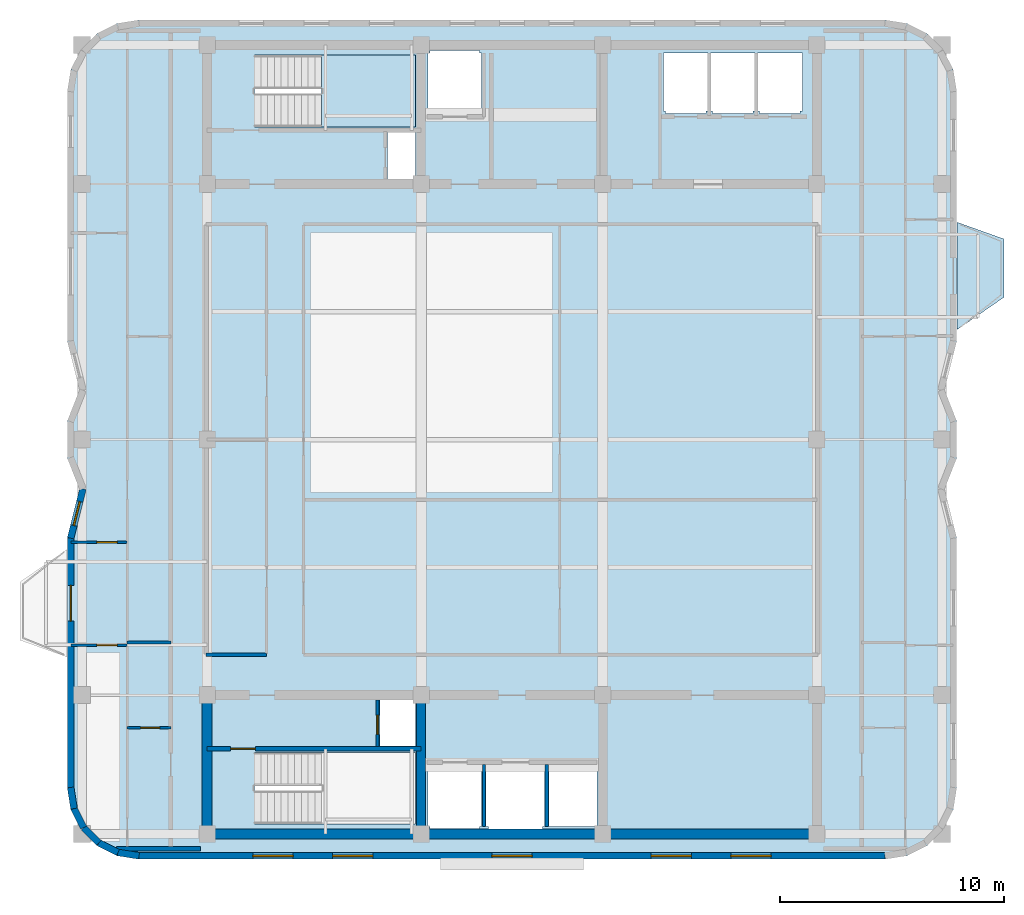
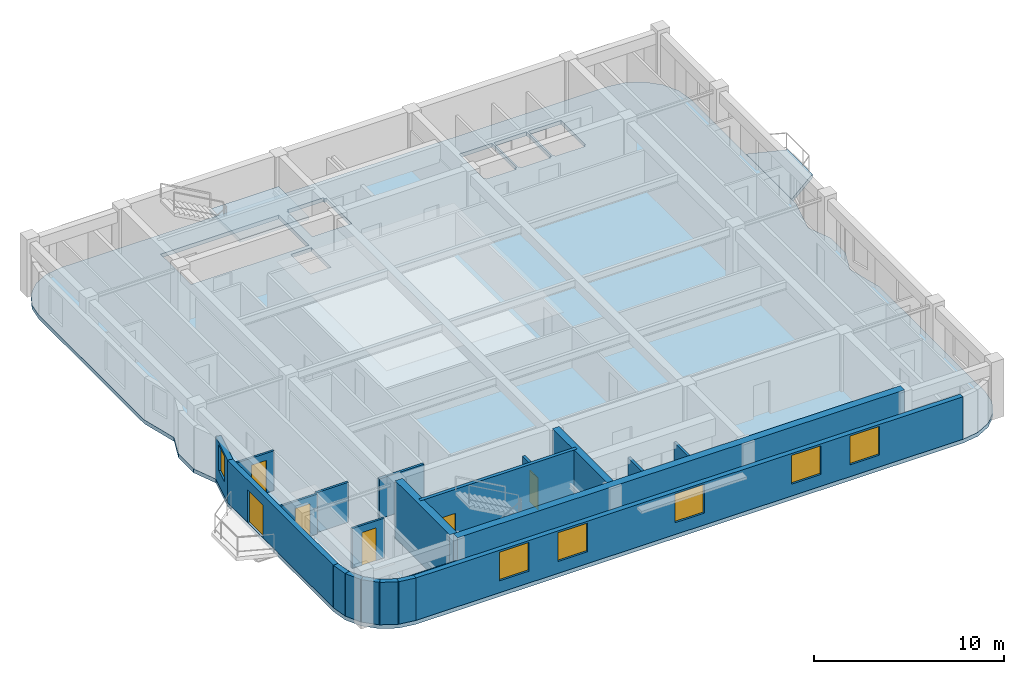
# One storey, part 2 of 8: 21 walls, 6 doors, 6 windows, 3 slabs, 12 openings, 1 element without a shape of its own.
"""IFC4 building model written with IfcOpenShell, lengths in metres."""

from ifc_helpers import new_model, si_unit, direction, frame, frame_2d, origin, place, context, subcontext, project, spatial, polyline, rectangle, outline, extrude, material, layer, layer_set, type_object, element, fill, aggregate, save


model = new_model("IFC4")

# Units and contexts
model_context = context("Model", 3, precision=1e-05, world=origin(), true_north=direction((0.0, 1.0)))
body_context = subcontext(model_context, "Body", "Model", "MODEL_VIEW")
ifc_project = project(units=[si_unit("LENGTHUNIT", "METRE"), si_unit("AREAUNIT", "SQUARE_METRE"), si_unit("VOLUMEUNIT", "CUBIC_METRE"), si_unit("PLANEANGLEUNIT", "RADIAN"), si_unit("MASSUNIT", "GRAM", prefix="KILO")], contexts=[model_context])

# Site, building, storey
site_placement = place(None, origin())
site = spatial("IfcSite", under=ifc_project, at=site_placement, CompositionType="ELEMENT")
building_placement = place(site_placement, origin())
building = spatial("IfcBuilding", under=site, at=building_placement, Name="Svetorya Sky Lyceum", CompositionType="ELEMENT")
storey_placement = place(building_placement, frame((0.0, 0.0, 260.199951171875)))
storey = spatial("IfcBuildingStorey", under=building, at=storey_placement, Name="L65", CompositionType="ELEMENT", Elevation=260.199951171875)

# Slab
ifc_material_1 = material(Name="Concrete C40/50", Category="concrete")
ifc_layer_1 = layer(ifc_material_1, 0.25)
ifc_layer_set_1 = layer_set([ifc_layer_1], Name="Concrete C40/50")
slab_type_1 = type_object("IfcSlabType", Name="SL-BAL-250", PredefinedType="FLOOR", material=ifc_layer_set_1)
slab_1_placement = place(storey_placement, frame((0.0, 0.0, -0.25)))
element("IfcSlab", 1, at=slab_1_placement, inside=storey, type_object=slab_type_1, Name="L65 Chamfered Loggia Balcony BAL-E1", PredefinedType="FLOOR", context=body_context, shape_type="SweptSolid", body=[
    extrude(outline(polyline([(59.050048828125, 33.10009765625), (61.14990234375, 34.550048828125), (61.14990234375, 37.14990234375), (59.050048828125, 37.89990234375), (59.050048828125, 33.10009765625)])), origin(), (0.0, 0.0, 1.0), 0.25),
])

# Stair, slab
stair_type = type_object("IfcStairType", Name="STR-ST-N", PredefinedType="HALF_TURN_STAIR", material=ifc_material_1)
stair_placement = place(storey_placement, origin())
stair = element("IfcStair", 2, at=stair_placement, inside=storey, type_object=stair_type, Name="L65 North Core Smoke-Free Exit Stair N3", PredefinedType="HALF_TURN_STAIR")
ifc_layer_2 = layer(ifc_material_1, 0.199951171875)
ifc_layer_set_2 = layer_set([ifc_layer_2], Name="Concrete C40/50")
slab_type_2 = type_object("IfcSlabType", Name="SL-STR-LAND-200", PredefinedType="LANDING", material=ifc_layer_set_2)
slab_2_placement = place(storey_placement, frame((0.0, 0.0, 1.650146484375)))
slab_2 = element("IfcSlab", 3, at=slab_2_placement, type_object=slab_type_2, Name="ST-N landing 1", PredefinedType="LANDING", context=body_context, shape_type="SweptSolid", body=[
    extrude(outline(polyline([(30.699951171875, 42.14990234375), (34.89990234375, 42.14990234375), (34.89990234375, 45.35009765625), (30.699951171875, 45.35009765625), (30.699951171875, 42.14990234375)])), origin(), (0.0, 0.0, 1.0), 0.199951171875),
])
aggregate(stair, [slab_2])

# Slab
ifc_layer_3 = layer(ifc_material_1, 0.25)
ifc_layer_set_3 = layer_set([ifc_layer_3], Name="Concrete C40/50")
slab_type_3 = type_object("IfcSlabType", Name="SL-TWR-250", PredefinedType="FLOOR", material=ifc_layer_set_3)
slab_3_placement = place(storey_placement, frame((0.0, 0.0, -0.25)))
element("IfcSlab", 4, at=slab_3_placement, inside=storey, type_object=slab_type_3, Name="L65 Structural Floor Slab", PredefinedType="FLOOR", context=body_context, shape_type="SweptSolid", body=[
    extrude(outline(polyline([(19.360107421875, 12.679931640625), (19.5166015625, 11.691162109375), (19.97119140625, 10.799072265625), (20.67919921875, 10.091064453125), (21.571044921875, 9.63671875), (22.56005859375, 9.47998046875), (55.840087890625, 9.47998046875), (56.828857421875, 9.63671875), (57.720947265625, 10.091064453125), (58.428955078125, 10.799072265625), (58.88330078125, 11.691162109375), (59.0400390625, 12.679931640625), (59.0400390625, 23.800048828125), (58.489990234375, 26.0), (59.0400390625, 27.39990234375), (59.0400390625, 29.0), (58.489990234375, 30.39990234375), (59.0400390625, 32.60009765625), (59.0400390625, 43.719970703125), (58.88330078125, 44.708984375), (58.428955078125, 45.600830078125), (57.720947265625, 46.308837890625), (56.828857421875, 46.763427734375), (55.840087890625, 46.919921875), (22.56005859375, 46.919921875), (21.571044921875, 46.763427734375), (20.67919921875, 46.308837890625), (19.97119140625, 45.600830078125), (19.5166015625, 44.708984375), (19.360107421875, 43.719970703125), (19.360107421875, 32.60009765625), (19.909912109375, 30.39990234375), (19.360107421875, 29.0), (19.360107421875, 27.39990234375), (19.909912109375, 26.0), (19.360107421875, 23.800048828125), (19.360107421875, 12.679931640625)]), holes=[polyline([(37.85009765625, 10.949951171875), (37.75, 10.949951171875), (37.75, 10.85009765625), (35.550048828125, 10.85009765625), (35.550048828125, 10.949951171875), (35.449951171875, 10.949951171875), (35.449951171875, 13.64990234375), (35.550048828125, 13.64990234375), (37.75, 13.64990234375), (37.85009765625, 13.64990234375), (37.85009765625, 10.949951171875)]), polyline([(38.14990234375, 10.800048828125), (38.14990234375, 10.949951171875), (38.050048828125, 10.949951171875), (38.050048828125, 13.64990234375), (38.14990234375, 13.64990234375), (38.14990234375, 13.699951171875), (40.550048828125, 13.699951171875), (40.550048828125, 13.64990234375), (40.64990234375, 13.64990234375), (40.64990234375, 10.949951171875), (40.550048828125, 10.949951171875), (40.550048828125, 10.800048828125), (38.14990234375, 10.800048828125)]), polyline([(27.719970703125, 11.050048828125), (27.719970703125, 14.25), (34.89990234375, 14.25), (34.89990234375, 11.050048828125), (27.719970703125, 11.050048828125)]), polyline([(33.300048828125, 14.52001953125), (33.300048828125, 16.580078125), (34.89990234375, 16.580078125), (34.89990234375, 14.52001953125), (33.300048828125, 14.52001953125)]), polyline([(33.64990234375, 39.820068359375), (33.64990234375, 41.89990234375), (34.89990234375, 41.89990234375), (34.89990234375, 39.820068359375), (33.64990234375, 39.820068359375)]), polyline([(27.719970703125, 42.14990234375), (27.719970703125, 45.35009765625), (34.89990234375, 45.35009765625), (34.89990234375, 42.14990234375), (27.719970703125, 42.14990234375)]), polyline([(37.75, 42.75), (35.550048828125, 42.75), (35.449951171875, 42.75), (35.449951171875, 45.449951171875), (35.550048828125, 45.449951171875), (35.550048828125, 45.550048828125), (37.75, 45.550048828125), (37.75, 45.449951171875), (37.85009765625, 45.449951171875), (37.85009765625, 42.75), (37.75, 42.75)]), polyline([(40.85009765625, 10.949951171875), (40.85009765625, 13.64990234375), (43.0, 13.64990234375), (43.0, 10.949951171875), (40.85009765625, 10.949951171875)]), polyline([(46.050048828125, 42.75), (46.050048828125, 42.85009765625), (45.949951171875, 42.85009765625), (45.949951171875, 45.449951171875), (46.050048828125, 45.449951171875), (47.85009765625, 45.449951171875), (47.949951171875, 45.449951171875), (47.949951171875, 42.85009765625), (47.85009765625, 42.85009765625), (47.85009765625, 42.75), (46.050048828125, 42.75)]), polyline([(50.050048828125, 42.85009765625), (49.949951171875, 42.85009765625), (49.949951171875, 42.75), (48.14990234375, 42.75), (48.14990234375, 42.85009765625), (48.050048828125, 42.85009765625), (48.050048828125, 45.449951171875), (48.14990234375, 45.449951171875), (49.949951171875, 45.449951171875), (50.050048828125, 45.449951171875), (50.050048828125, 42.85009765625)]), polyline([(52.14990234375, 42.85009765625), (52.050048828125, 42.85009765625), (52.050048828125, 42.75), (50.25, 42.75), (50.25, 42.85009765625), (50.14990234375, 42.85009765625), (50.14990234375, 45.449951171875), (50.25, 45.449951171875), (52.050048828125, 45.449951171875), (52.14990234375, 45.449951171875), (52.14990234375, 42.85009765625)])]), origin(), (0.0, 0.0, 1.0), 0.25),
])

# Walls
ifc_layer_4 = layer(ifc_material_1, 0.39990234375)
ifc_layer_set_4 = layer_set([ifc_layer_4], Name="Concrete C40/50")
wall_type_1 = type_object("IfcWallType", Name="WL-CORE-400", PredefinedType="SHEAR", material=ifc_layer_set_4)
wall_1_placement = place(storey_placement, frame((35.14990234375, 10.824951171875, 0.0), z_axis=(0.0, 0.0, 1.0), x_axis=(0.0, 1.0, 0.0)))
element("IfcWall", 5, at=wall_1_placement, inside=storey, type_object=wall_type_1, Name="L65 SC Internal Shear Web WEB1", PredefinedType="SHEAR", context=body_context, shape_type="SweptSolid", body=[
    extrude(rectangle(XDim=5.75, YDim=0.39990234375, at=frame_2d((2.875, 0.0))), origin(), (0.0, 0.0, 1.0), 3.699951171875),
])
ifc_material_2 = material(Name="Concrete C50/60", Category="concrete")
ifc_layer_5 = layer(ifc_material_2, 0.449951171875)
ifc_layer_set_5 = layer_set([ifc_layer_5], Name="Concrete C50/60")
wall_type_2 = type_object("IfcWallType", Name="WL-CORE-450", PredefinedType="SHEAR", material=ifc_layer_set_5)
wall_2_placement = place(storey_placement, frame((52.800048828125, 10.60009765625, 0.0), z_axis=(0.0, 0.0, 1.0), x_axis=(-1.0, 0.0, 0.0)))
element("IfcWall", 6, at=wall_2_placement, inside=storey, type_object=wall_type_2, Name="L65 SC Outer Core Shear Wall", PredefinedType="SHEAR", context=body_context, shape_type="SweptSolid", body=[
    extrude(rectangle(XDim=27.199951171875, YDim=0.449951171875, at=frame_2d((13.60009765625, 0.0))), origin(), (0.0, 0.0, 1.0), 3.699951171875),
])
wall_3_placement = place(storey_placement, frame((25.60009765625, 10.824951171875, 0.0), z_axis=(0.0, 0.0, 1.0), x_axis=(0.0, 1.0, 0.0)))
element("IfcWall", 7, at=wall_3_placement, inside=storey, type_object=wall_type_2, Name="L65 SC West Core Shear Wall", PredefinedType="SHEAR", context=body_context, shape_type="SweptSolid", body=[
    extrude(rectangle(XDim=5.75, YDim=0.449951171875, at=frame_2d((2.875, 0.0))), origin(), (0.0, 0.0, 1.0), 3.699951171875),
])
ifc_material_3 = material(Name="Putilovo limestone rainscreen on autoclaved cellular masonry", Category="masonry")
ifc_layer_6 = layer(ifc_material_3, 0.300048828125)
ifc_layer_set_6 = layer_set([ifc_layer_6], Name="Putilovo limestone rainscreen on autoclaved cellular masonry")
wall_type_3 = type_object("IfcWallType", Name="WL-EXT-300", PredefinedType="SOLIDWALL", material=ifc_layer_set_6)
wall_4_placement = place(storey_placement, frame((19.510009765625, 12.679931640625, 0.0), z_axis=(0.0, 0.0, 1.0), x_axis=(0.156343617883, -0.987702725088, 0.0)))
element("IfcWall", 8, at=wall_4_placement, inside=storey, type_object=wall_type_3, Name="L65 Limestone Exterior Wall 1M", PredefinedType="SOLIDWALL", context=body_context, shape_type="SweptSolid", body=[
    extrude(rectangle(XDim=0.9541015625, YDim=0.300048828125, at=frame_2d((0.47705078125, 0.0))), origin(), (0.0, 0.0, 1.0), 2.72998046875),
])
for number, where, z_axis, x_axis, name in (
    (9, (19.6591796875, 11.737548828125, 0.0), (0.0, 0.0, 1.0), (0.454056065666, -0.890973113642, 0.0), "L65 Limestone Exterior Wall 2M"),
    (10, (20.092529296875, 10.88720703125, 0.0), (0.0, 0.0, 1.0), (0.707106781187, -0.707106781187, 0.0), "L65 Limestone Exterior Wall 3M"),
):
    element("IfcWall", number, at=place(storey_placement, frame(where, z_axis=z_axis, x_axis=x_axis)), inside=storey, type_object=wall_type_3, Name=name, PredefinedType="SOLIDWALL", context=body_context, shape_type="SweptSolid", body=[
        extrude(rectangle(XDim=0.954345703125, YDim=0.300048828125, at=frame_2d((0.47705078125, 0.0))), origin(), (0.0, 0.0, 1.0), 2.72998046875),
    ])
wall_5_placement = place(storey_placement, frame((20.767333984375, 10.21240234375, 0.0), z_axis=(0.0, 0.0, 1.0), x_axis=(0.891023873617, -0.45395644796, 0.0)))
element("IfcWall", 11, at=wall_5_placement, inside=storey, type_object=wall_type_3, Name="L65 Limestone Exterior Wall 4M", PredefinedType="SOLIDWALL", context=body_context, shape_type="SweptSolid", body=[
    extrude(rectangle(XDim=0.9541015625, YDim=0.300048828125, at=frame_2d((0.47705078125, 0.0))), origin(), (0.0, 0.0, 1.0), 2.72998046875),
])
wall_6_placement = place(storey_placement, frame((21.617431640625, 9.779296875, 0.0), z_axis=(0.0, 0.0, 1.0), x_axis=(0.987669453596, -0.156553666304, 0.0)))
element("IfcWall", 12, at=wall_6_placement, inside=storey, type_object=wall_type_3, Name="L65 Limestone Exterior Wall 5M", PredefinedType="SOLIDWALL", context=body_context, shape_type="SweptSolid", body=[
    extrude(rectangle(XDim=0.954345703125, YDim=0.300048828125, at=frame_2d((0.47705078125, 0.0))), origin(), (0.0, 0.0, 1.0), 2.72998046875),
])

# Wall, openings, windows
wall_7_placement = place(storey_placement, frame((22.56005859375, 9.6298828125, 0.0), z_axis=(0.0, 0.0, 1.0), x_axis=(1.0, 0.0, 0.0)))
wall_7 = element("IfcWall", 13, at=wall_7_placement, inside=storey, type_object=wall_type_3, Name="L65 Limestone Exterior Wall 6M", PredefinedType="SOLIDWALL", context=body_context, shape_type="SweptSolid", body=[
    extrude(rectangle(XDim=33.280029296875, YDim=0.300048828125, at=frame_2d((16.64013671875, 0.0))), origin(), (0.0, 0.0, 1.0), 2.72998046875),
])
opening_1_placement = place(wall_7_placement, frame((5.080078125, 0.0, 0.760009765625)))
opening_1 = element("IfcOpeningElement", 14, at=opening_1_placement, cuts=wall_7, Name="Opening W-R1", PredefinedType="OPENING", context=body_context, shape_type="SweptSolid", body=[
    extrude(rectangle(XDim=1.800048828125, YDim=1.85009765625, at=frame_2d((0.89990234375, 0.925048828125))), frame((0.0, 0.159912109375, 0.0), z_axis=(0.0, -1.0, 0.0), x_axis=(1.0, 0.0, 0.0)), (0.0, 0.0, 1.0), 0.320068359375),
])
opening_2_placement = place(wall_7_placement, frame((8.63330078125, 0.0, 0.760009765625)))
opening_2 = element("IfcOpeningElement", 15, at=opening_2_placement, cuts=wall_7, Name="Opening W-R1", PredefinedType="OPENING", context=body_context, shape_type="SweptSolid", body=[
    extrude(rectangle(XDim=1.800048828125, YDim=1.85009765625, at=frame_2d((0.89990234375, 0.925048828125))), frame((0.0, 0.159912109375, 0.0), z_axis=(0.0, -1.0, 0.0), x_axis=(1.0, 0.0, 0.0)), (0.0, 0.0, 1.0), 0.320068359375),
])
opening_3_placement = place(wall_7_placement, frame((15.739990234375, 0.0, 0.760009765625)))
opening_3 = element("IfcOpeningElement", 16, at=opening_3_placement, cuts=wall_7, Name="Opening W-R1", PredefinedType="OPENING", context=body_context, shape_type="SweptSolid", body=[
    extrude(rectangle(XDim=1.800048828125, YDim=1.85009765625, at=frame_2d((0.89990234375, 0.925048828125))), frame((0.0, 0.159912109375, 0.0), z_axis=(0.0, -1.0, 0.0), x_axis=(1.0, 0.0, 0.0)), (0.0, 0.0, 1.0), 0.320068359375),
])
opening_4_placement = place(wall_7_placement, frame((22.8466796875, 0.0, 0.760009765625)))
opening_4 = element("IfcOpeningElement", 17, at=opening_4_placement, cuts=wall_7, Name="Opening W-R1", PredefinedType="OPENING", context=body_context, shape_type="SweptSolid", body=[
    extrude(rectangle(XDim=1.800048828125, YDim=1.85009765625, at=frame_2d((0.89990234375, 0.925048828125))), frame((0.0, 0.159912109375, 0.0), z_axis=(0.0, -1.0, 0.0), x_axis=(1.0, 0.0, 0.0)), (0.0, 0.0, 1.0), 0.320068359375),
])
opening_5_placement = place(wall_7_placement, frame((26.39990234375, 0.0, 0.760009765625)))
opening_5 = element("IfcOpeningElement", 18, at=opening_5_placement, cuts=wall_7, Name="Opening W-R1", PredefinedType="OPENING", context=body_context, shape_type="SweptSolid", body=[
    extrude(rectangle(XDim=1.800048828125, YDim=1.85009765625, at=frame_2d((0.89990234375, 0.925048828125))), frame((0.0, 0.159912109375, 0.0), z_axis=(0.0, -1.0, 0.0), x_axis=(1.0, 0.0, 0.0)), (0.0, 0.0, 1.0), 0.320068359375),
])
ifc_material_4 = material(Name="Thermally broken aluminium frame with triple low-E glazing", Category="aluminium")
window_type_1 = type_object("IfcWindowType", Name="WN-RES-180", PartitioningType="DOUBLE_PANEL_VERTICAL", PredefinedType="WINDOW", material=ifc_material_4)
window_1_placement = place(opening_1_placement, origin())
window_1 = element("IfcWindow", 19, at=window_1_placement, inside=storey, type_object=window_type_1, Name="L65 Facade Window W-R1.6M.1", OverallHeight=1.85009765625, OverallWidth=1.800048828125, PartitioningType="SINGLE_PANEL", PredefinedType="WINDOW", context=body_context, shape_type="SweptSolid", body=[
    extrude(rectangle(XDim=1.800048828125, YDim=1.85009765625, at=frame_2d((0.89990234375, 0.925048828125))), frame((0.0, 0.030029296875, 0.0), z_axis=(0.0, -1.0, 0.0), x_axis=(1.0, 0.0, 0.0)), (0.0, 0.0, 1.0), 0.06005859375),
])
fill(opening_1, window_1)
window_2_placement = place(opening_2_placement, origin())
window_2 = element("IfcWindow", 20, at=window_2_placement, inside=storey, type_object=window_type_1, Name="L65 Facade Window W-R1.6M.2", OverallHeight=1.85009765625, OverallWidth=1.800048828125, PartitioningType="SINGLE_PANEL", PredefinedType="WINDOW", context=body_context, shape_type="SweptSolid", body=[
    extrude(rectangle(XDim=1.800048828125, YDim=1.85009765625, at=frame_2d((0.89990234375, 0.925048828125))), frame((0.0, 0.030029296875, 0.0), z_axis=(0.0, -1.0, 0.0), x_axis=(1.0, 0.0, 0.0)), (0.0, 0.0, 1.0), 0.06005859375),
])
fill(opening_2, window_2)
window_3_placement = place(opening_3_placement, origin())
window_3 = element("IfcWindow", 21, at=window_3_placement, inside=storey, type_object=window_type_1, Name="L65 Facade Window W-R1.6M.3", OverallHeight=1.85009765625, OverallWidth=1.800048828125, PartitioningType="SINGLE_PANEL", PredefinedType="WINDOW", context=body_context, shape_type="SweptSolid", body=[
    extrude(rectangle(XDim=1.800048828125, YDim=1.85009765625, at=frame_2d((0.89990234375, 0.925048828125))), frame((0.0, 0.030029296875, 0.0), z_axis=(0.0, -1.0, 0.0), x_axis=(1.0, 0.0, 0.0)), (0.0, 0.0, 1.0), 0.06005859375),
])
fill(opening_3, window_3)
window_4_placement = place(opening_4_placement, origin())
window_4 = element("IfcWindow", 22, at=window_4_placement, inside=storey, type_object=window_type_1, Name="L65 Facade Window W-R1.6M.4", OverallHeight=1.85009765625, OverallWidth=1.800048828125, PartitioningType="SINGLE_PANEL", PredefinedType="WINDOW", context=body_context, shape_type="SweptSolid", body=[
    extrude(rectangle(XDim=1.800048828125, YDim=1.85009765625, at=frame_2d((0.89990234375, 0.925048828125))), frame((0.0, 0.030029296875, 0.0), z_axis=(0.0, -1.0, 0.0), x_axis=(1.0, 0.0, 0.0)), (0.0, 0.0, 1.0), 0.06005859375),
])
fill(opening_4, window_4)
window_5_placement = place(opening_5_placement, origin())
window_5 = element("IfcWindow", 23, at=window_5_placement, inside=storey, type_object=window_type_1, Name="L65 Facade Window W-R1.6M.5", OverallHeight=1.85009765625, OverallWidth=1.800048828125, PartitioningType="SINGLE_PANEL", PredefinedType="WINDOW", context=body_context, shape_type="SweptSolid", body=[
    extrude(rectangle(XDim=1.800048828125, YDim=1.85009765625, at=frame_2d((0.89990234375, 0.925048828125))), frame((0.0, 0.030029296875, 0.0), z_axis=(0.0, -1.0, 0.0), x_axis=(1.0, 0.0, 0.0)), (0.0, 0.0, 1.0), 0.06005859375),
])
fill(opening_5, window_5)

# Wall, opening, window
wall_8_placement = place(storey_placement, frame((20.06005859375, 26.0, 0.0), z_axis=(0.0, 0.0, 1.0), x_axis=(-0.242560957029, -0.970136166796, 0.0)))
wall_8 = element("IfcWall", 24, at=wall_8_placement, inside=storey, type_object=wall_type_3, Name="L65 Limestone Exterior Wall 35M", PredefinedType="SOLIDWALL", context=body_context, shape_type="SweptSolid", body=[
    extrude(rectangle(XDim=2.267578125, YDim=0.300048828125, at=frame_2d((1.1337890625, 0.0))), origin(), (0.0, 0.0, 1.0), 2.72998046875),
])
opening_6_placement = place(wall_8_placement, frame((0.583984375, 0.0, 0.919921875)))
opening_6 = element("IfcOpeningElement", 25, at=opening_6_placement, cuts=wall_8, Name="Opening W-R3", PredefinedType="OPENING", context=body_context, shape_type="SweptSolid", body=[
    extrude(rectangle(XDim=1.10009765625, YDim=1.64990234375, at=frame_2d((0.550048828125, 0.824951171875))), frame((0.0, 0.159912109375, 0.0), z_axis=(0.0, -1.0, 0.0), x_axis=(1.0, 0.0, 0.0)), (0.0, 0.0, 1.0), 0.320068359375),
])
window_type_2 = type_object("IfcWindowType", Name="WN-RES-110", PartitioningType="SINGLE_PANEL", PredefinedType="WINDOW", material=ifc_material_4)
window_6_placement = place(opening_6_placement, origin())
window_6 = element("IfcWindow", 26, at=window_6_placement, inside=storey, type_object=window_type_2, Name="L65 Facade Window W-R3.35M.1", OverallHeight=1.64990234375, OverallWidth=1.10009765625, PartitioningType="SINGLE_PANEL", PredefinedType="WINDOW", context=body_context, shape_type="SweptSolid", body=[
    extrude(rectangle(XDim=1.10009765625, YDim=1.64990234375, at=frame_2d((0.550048828125, 0.824951171875))), frame((0.0, 0.030029296875, 0.0), z_axis=(0.0, -1.0, 0.0), x_axis=(1.0, 0.0, 0.0)), (0.0, 0.0, 1.0), 0.06005859375),
])
fill(opening_6, window_6)

# Wall, opening, door
wall_9_placement = place(storey_placement, frame((19.510009765625, 23.800048828125, 0.0), z_axis=(0.0, 0.0, 1.0), x_axis=(0.0, -1.0, 0.0)))
wall_9 = element("IfcWall", 27, at=wall_9_placement, inside=storey, type_object=wall_type_3, Name="L65 Limestone Exterior Wall 36M", PredefinedType="SOLIDWALL", context=body_context, shape_type="SweptSolid", body=[
    extrude(rectangle(XDim=11.1201171875, YDim=0.300048828125, at=frame_2d((5.56005859375, 0.0))), origin(), (0.0, 0.0, 1.0), 2.72998046875),
])
opening_7_placement = place(wall_9_placement, frame((2.10009765625, 0.0, 0.0)))
opening_7 = element("IfcOpeningElement", 28, at=opening_7_placement, cuts=wall_9, Name="Opening D-BL1", PredefinedType="OPENING", context=body_context, shape_type="SweptSolid", body=[
    extrude(rectangle(XDim=1.60009765625, YDim=2.10009765625, at=frame_2d((0.800048828125, 1.050048828125))), frame((0.0, 0.159912109375, 0.0), z_axis=(0.0, -1.0, 0.0), x_axis=(1.0, 0.0, 0.0)), (0.0, 0.0, 1.0), 0.320068359375),
])
ifc_material_5 = material(Name="Insulated glazed aluminium balcony door", Category="aluminium")
door_type_1 = type_object("IfcDoorType", Name="DR-BAL-1600", OperationType="DOUBLE_DOOR_SINGLE_SWING", PredefinedType="DOOR", material=ifc_material_5)
door_1_placement = place(opening_7_placement, origin())
door_1 = element("IfcDoor", 29, at=door_1_placement, inside=storey, type_object=door_type_1, Name="L65 Balcony BAL-W1 Door", OperationType="DOUBLE_DOOR_SINGLE_SWING", OverallHeight=2.10009765625, OverallWidth=1.60009765625, PredefinedType="DOOR", context=body_context, shape_type="SweptSolid", body=[
    extrude(rectangle(XDim=1.60009765625, YDim=2.10009765625, at=frame_2d((0.800048828125, 1.050048828125))), frame((0.0, 0.02490234375, 0.0), z_axis=(0.0, -1.0, 0.0), x_axis=(1.0, 0.0, 0.0)), (0.0, 0.0, 1.0), 0.050048828125),
])
fill(opening_7, door_1)

ifc_material_6 = material(Name="Twin-stud galvanized framing with double fireboard", Category="gypsum")
ifc_layer_7 = layer(ifc_material_6, 0.1201171875)
ifc_layer_set_7 = layer_set([ifc_layer_7], Name="Twin-stud galvanized framing with double fireboard")
wall_type_4 = type_object("IfcWallType", Name="WL-PART-120", PredefinedType="PARTITIONING", material=ifc_layer_set_7)
wall_10_placement = place(storey_placement, frame((22.030029296875, 15.35009765625, 0.0), z_axis=(0.0, 0.0, 1.0), x_axis=(1.0, 0.0, 0.0)))
wall_10 = element("IfcWall", 30, at=wall_10_placement, inside=storey, type_object=wall_type_4, Name="L65 Interior Partition W1-WH1", PredefinedType="PARTITIONING", context=body_context, shape_type="SweptSolid", body=[
    extrude(rectangle(XDim=1.949951171875, YDim=0.1201171875, at=frame_2d((0.97509765625, 0.0))), origin(), (0.0, 0.0, 1.0), 2.56005859375),
])
opening_8_placement = place(wall_10_placement, frame((0.60009765625, 0.0, 0.0)))
opening_8 = element("IfcOpeningElement", 31, at=opening_8_placement, cuts=wall_10, Name="Opening D-BT1", PredefinedType="OPENING", context=body_context, shape_type="SweptSolid", body=[
    extrude(rectangle(XDim=0.85009765625, YDim=2.10009765625, at=frame_2d((0.425048828125, 1.050048828125))), frame((0.0, 0.070068359375, 0.0), z_axis=(0.0, -1.0, 0.0), x_axis=(1.0, 0.0, 0.0)), (0.0, 0.0, 1.0), 0.14013671875),
])
ifc_material_7 = material(Name="Moisture-resistant laminate bathroom door")
door_type_2 = type_object("IfcDoorType", Name="DR-WET-850", OperationType="SINGLE_SWING_LEFT", PredefinedType="DOOR", material=ifc_material_7)
door_2_placement = place(opening_8_placement, origin())
door_2 = element("IfcDoor", 32, at=door_2_placement, inside=storey, type_object=door_type_2, Name="Apartment W1 Bathroom Door", OperationType="SINGLE_SWING_LEFT", OverallHeight=2.10009765625, OverallWidth=0.85009765625, PredefinedType="DOOR", context=body_context, shape_type="SweptSolid", body=[
    extrude(rectangle(XDim=0.85009765625, YDim=2.10009765625, at=frame_2d((0.425048828125, 1.050048828125))), frame((0.0, 0.02490234375, 0.0), z_axis=(0.0, -1.0, 0.0), x_axis=(1.0, 0.0, 0.0)), (0.0, 0.0, 1.0), 0.050048828125),
])
fill(opening_8, door_2)

wall_11_placement = place(storey_placement, frame((19.530029296875, 19.02001953125, 0.0), z_axis=(0.0, 0.0, 1.0), x_axis=(1.0, 0.0, 0.0)))
wall_11 = element("IfcWall", 33, at=wall_11_placement, inside=storey, type_object=wall_type_4, Name="L65 Interior Partition W1-WL1", PredefinedType="PARTITIONING", context=body_context, shape_type="SweptSolid", body=[
    extrude(rectangle(XDim=2.5, YDim=0.1201171875, at=frame_2d((1.25, 0.0))), origin(), (0.0, 0.0, 1.0), 2.56005859375),
])
opening_9_placement = place(wall_11_placement, frame((1.14990234375, 0.0, 0.0)))
opening_9 = element("IfcOpeningElement", 34, at=opening_9_placement, cuts=wall_11, Name="Opening D-RM1", PredefinedType="OPENING", context=body_context, shape_type="SweptSolid", body=[
    extrude(rectangle(XDim=0.89990234375, YDim=2.10009765625, at=frame_2d((0.449951171875, 1.050048828125))), frame((0.0, 0.070068359375, 0.0), z_axis=(0.0, -1.0, 0.0), x_axis=(1.0, 0.0, 0.0)), (0.0, 0.0, 1.0), 0.14013671875),
])
ifc_material_8 = material(Name="Lacquered birch veneer internal door")
door_type_3 = type_object("IfcDoorType", Name="DR-INT-900", OperationType="SINGLE_SWING_LEFT", PredefinedType="DOOR", material=ifc_material_8)
door_3_placement = place(opening_9_placement, origin())
door_3 = element("IfcDoor", 35, at=door_3_placement, inside=storey, type_object=door_type_3, Name="Apartment W1 Master Bedroom Door", OperationType="SINGLE_SWING_LEFT", OverallHeight=2.10009765625, OverallWidth=0.89990234375, PredefinedType="DOOR", context=body_context, shape_type="SweptSolid", body=[
    extrude(rectangle(XDim=0.89990234375, YDim=2.10009765625, at=frame_2d((0.449951171875, 1.050048828125))), frame((0.0, 0.02490234375, 0.0), z_axis=(0.0, -1.0, 0.0), x_axis=(1.0, 0.0, 0.0)), (0.0, 0.0, 1.0), 0.050048828125),
])
fill(opening_9, door_3)

wall_12_placement = place(storey_placement, frame((19.530029296875, 23.6201171875, 0.0), z_axis=(0.0, 0.0, 1.0), x_axis=(1.0, 0.0, 0.0)))
wall_12 = element("IfcWall", 36, at=wall_12_placement, inside=storey, type_object=wall_type_4, Name="L65 Interior Partition W1-WL2", PredefinedType="PARTITIONING", context=body_context, shape_type="SweptSolid", body=[
    extrude(rectangle(XDim=2.5, YDim=0.1201171875, at=frame_2d((1.25, 0.0))), origin(), (0.0, 0.0, 1.0), 2.56005859375),
])
opening_10_placement = place(wall_12_placement, frame((1.14990234375, 0.0, 0.0)))
opening_10 = element("IfcOpeningElement", 37, at=opening_10_placement, cuts=wall_12, Name="Opening D-RM1", PredefinedType="OPENING", context=body_context, shape_type="SweptSolid", body=[
    extrude(rectangle(XDim=0.89990234375, YDim=2.10009765625, at=frame_2d((0.449951171875, 1.050048828125))), frame((0.0, 0.070068359375, 0.0), z_axis=(0.0, -1.0, 0.0), x_axis=(1.0, 0.0, 0.0)), (0.0, 0.0, 1.0), 0.14013671875),
])
door_4_placement = place(opening_10_placement, origin())
door_4 = element("IfcDoor", 38, at=door_4_placement, inside=storey, type_object=door_type_3, Name="Apartment W1 Bedroom 2 Door", OperationType="SINGLE_SWING_RIGHT", OverallHeight=2.10009765625, OverallWidth=0.89990234375, PredefinedType="DOOR", context=body_context, shape_type="SweptSolid", body=[
    extrude(rectangle(XDim=0.89990234375, YDim=2.10009765625, at=frame_2d((0.449951171875, 1.050048828125))), frame((0.0, 0.02490234375, 0.0), z_axis=(0.0, -1.0, 0.0), x_axis=(1.0, 0.0, 0.0)), (0.0, 0.0, 1.0), 0.050048828125),
])
fill(opening_10, door_4)

# Wall
ifc_material_9 = material(Name="Twin-stud galvanized framing with acoustic board", Category="gypsum")
ifc_layer_8 = layer(ifc_material_9, 0.135009765625)
ifc_layer_set_8 = layer_set([ifc_layer_8], Name="Twin-stud galvanized framing with acoustic board")
wall_type_5 = type_object("IfcWallType", Name="WL-PART-135", PredefinedType="PARTITIONING", material=ifc_layer_set_8)
wall_13_placement = place(storey_placement, frame((22.030029296875, 19.14990234375, 0.0), z_axis=(0.0, 0.0, 1.0), x_axis=(1.0, 0.0, 0.0)))
element("IfcWall", 39, at=wall_13_placement, inside=storey, type_object=wall_type_5, Name="L65 Interior Partition W1-WH2", PredefinedType="PARTITIONING", context=body_context, shape_type="SweptSolid", body=[
    extrude(rectangle(XDim=1.949951171875, YDim=0.135009765625, at=frame_2d((0.97509765625, 0.0))), origin(), (0.0, 0.0, 1.0), 2.56005859375),
])

# Wall, opening, door
ifc_material_10 = material(Name="Autoclaved cellular masonry blockwork with acoustic render", Category="masonry")
ifc_layer_9 = layer(ifc_material_10, 0.14990234375)
ifc_layer_set_9 = layer_set([ifc_layer_9], Name="Autoclaved cellular masonry blockwork with acoustic render")
wall_type_6 = type_object("IfcWallType", Name="WL-PART-150", PredefinedType="PARTITIONING", material=ifc_layer_set_9)
wall_14_placement = place(storey_placement, frame((33.199951171875, 14.5, 0.0), z_axis=(0.0, 0.0, 1.0), x_axis=(0.0, 1.0, 0.0)))
wall_14 = element("IfcWall", 40, at=wall_14_placement, inside=storey, type_object=wall_type_6, Name="L65 Interior Partition SC-AIRDIV", PredefinedType="PARTITIONING", context=body_context, shape_type="SweptSolid", body=[
    extrude(rectangle(XDim=2.080078125, YDim=0.14990234375, at=frame_2d((1.0400390625, 0.0))), origin(), (0.0, 0.0, 1.0), 2.56005859375),
])
opening_11_placement = place(wall_14_placement, frame((0.550048828125, 0.0, 0.0)))
opening_11 = element("IfcOpeningElement", 41, at=opening_11_placement, cuts=wall_14, Name="Opening D-SH1", PredefinedType="OPENING", context=body_context, shape_type="SweptSolid", body=[
    extrude(rectangle(XDim=0.85009765625, YDim=2.050048828125, at=frame_2d((0.425048828125, 1.02490234375))), frame((0.0, 0.0849609375, 0.0), z_axis=(0.0, -1.0, 0.0), x_axis=(1.0, 0.0, 0.0)), (0.0, 0.0, 1.0), 0.169921875),
])
ifc_material_11 = material(Name="Insulated galvanized riser inspection fire door")
door_type_4 = type_object("IfcDoorType", Name="DR-SHFT-850", OperationType="SINGLE_SWING_LEFT", PredefinedType="TRAPDOOR", material=ifc_material_11)
door_5_placement = place(opening_11_placement, origin())
door_5 = element("IfcDoor", 42, at=door_5_placement, inside=storey, type_object=door_type_4, Name="L65 South Riser Access Door", OperationType="SINGLE_SWING_RIGHT", OverallHeight=2.050048828125, OverallWidth=0.85009765625, PredefinedType="TRAPDOOR", context=body_context, shape_type="SweptSolid", body=[
    extrude(rectangle(XDim=0.85009765625, YDim=2.050048828125, at=frame_2d((0.425048828125, 1.02490234375))), frame((0.0, 0.02490234375, 0.0), z_axis=(0.0, -1.0, 0.0), x_axis=(1.0, 0.0, 0.0)), (0.0, 0.0, 1.0), 0.050048828125),
])
fill(opening_11, door_5)

# Walls
for number, where, z_axis, x_axis, name in (
    (43, (37.949951171875, 10.949951171875, 0.0), (0.0, 0.0, 1.0), (0.0, 1.0, 0.0), "L65 Interior Partition SC-SHD1"),
    (44, (40.75, 10.949951171875, 0.0), (0.0, 0.0, 1.0), (0.0, 1.0, 0.0), "L65 Interior Partition SC-SHD2"),
):
    element("IfcWall", number, at=place(storey_placement, frame(where, z_axis=z_axis, x_axis=x_axis)), inside=storey, type_object=wall_type_6, Name=name, PredefinedType="PARTITIONING", context=body_context, shape_type="SweptSolid", body=[
        extrude(rectangle(XDim=2.75, YDim=0.14990234375, at=frame_2d((1.375, 0.0))), origin(), (0.0, 0.0, 1.0), 2.56005859375),
    ])
wall_15_placement = place(storey_placement, frame((25.550048828125, 18.60009765625, 0.0), z_axis=(0.0, 0.0, 1.0), x_axis=(1.0, 0.0, 0.0)))
element("IfcWall", 45, at=wall_15_placement, inside=storey, type_object=wall_type_6, Name="L65 Interior Partition OFF-CS-W", PredefinedType="PARTITIONING", context=body_context, shape_type="SweptSolid", body=[
    extrude(rectangle(XDim=2.699951171875, YDim=0.14990234375, at=frame_2d((1.35009765625, 0.0))), origin(), (0.0, 0.0, 1.0), 2.56005859375),
])
ifc_material_12 = material(Name="Autoclaved cellular masonry blockwork with gypsum plaster", Category="masonry")
ifc_layer_10 = layer(ifc_material_12, 0.199951171875)
ifc_layer_set_10 = layer_set([ifc_layer_10], Name="Autoclaved cellular masonry blockwork with gypsum plaster")
wall_type_7 = type_object("IfcWallType", Name="WL-PART-200", PredefinedType="PARTITIONING", material=ifc_layer_set_10)
wall_16_placement = place(storey_placement, frame((21.5458984375, 9.949951171875, 0.0), z_axis=(0.0, 0.0, 1.0), x_axis=(1.0, 0.0, 0.0)))
element("IfcWall", 46, at=wall_16_placement, inside=storey, type_object=wall_type_7, Name="L65 Interior Partition W-CAP-S", PredefinedType="PARTITIONING", context=body_context, shape_type="SweptSolid", body=[
    extrude(rectangle(XDim=3.754150390625, YDim=0.199951171875, at=frame_2d((1.876953125, 0.0))), origin(), (0.0, 0.0, 1.0), 2.56005859375),
])

# Wall, opening, door
ifc_layer_11 = layer(ifc_material_2, 0.199951171875)
ifc_layer_set_11 = layer_set([ifc_layer_11], Name="Concrete C50/60")
wall_type_8 = type_object("IfcWallType", Name="WL-SHW-200", PredefinedType="SHEAR", material=ifc_layer_set_11)
wall_17_placement = place(storey_placement, frame((25.60009765625, 14.39990234375, 0.0), z_axis=(0.0, 0.0, 1.0), x_axis=(1.0, 0.0, 0.0)))
wall_17 = element("IfcWall", 47, at=wall_17_placement, inside=storey, type_object=wall_type_8, Name="L65 Structural Stair Shaft Wall SC-STW", PredefinedType="SHEAR", context=body_context, shape_type="SweptSolid", body=[
    extrude(rectangle(XDim=9.5498046875, YDim=0.199951171875, at=frame_2d((4.77490234375, 0.0))), origin(), (0.0, 0.0, 1.0), 3.699951171875),
])
opening_12_placement = place(wall_17_placement, frame((1.050048828125, 0.0, 0.0)))
opening_12 = element("IfcOpeningElement", 48, at=opening_12_placement, cuts=wall_17, Name="Opening D-ST1", PredefinedType="OPENING", context=body_context, shape_type="SweptSolid", body=[
    extrude(rectangle(XDim=1.10009765625, YDim=2.14990234375, at=frame_2d((0.550048828125, 1.074951171875))), frame((0.0, 0.10986328125, 0.0), z_axis=(0.0, -1.0, 0.0), x_axis=(1.0, 0.0, 0.0)), (0.0, 0.0, 1.0), 0.219970703125),
])
ifc_material_13 = material(Name="Powder-coated insulated galvanized stair fire door")
door_type_5 = type_object("IfcDoorType", Name="DR-FIRE-1100", OperationType="SINGLE_SWING_LEFT", PredefinedType="DOOR", material=ifc_material_13)
door_6_placement = place(opening_12_placement, origin())
door_6 = element("IfcDoor", 49, at=door_6_placement, inside=storey, type_object=door_type_5, Name="L65 Stair ST-S Vestibule Fire Door", OperationType="SINGLE_SWING_LEFT", OverallHeight=2.14990234375, OverallWidth=1.10009765625, PredefinedType="DOOR", context=body_context, shape_type="SweptSolid", body=[
    extrude(rectangle(XDim=1.10009765625, YDim=2.14990234375, at=frame_2d((0.550048828125, 1.074951171875))), frame((0.0, 0.02490234375, 0.0), z_axis=(0.0, -1.0, 0.0), x_axis=(1.0, 0.0, 0.0)), (0.0, 0.0, 1.0), 0.050048828125),
])
fill(opening_12, door_6)

save(model, "model.ifc")
